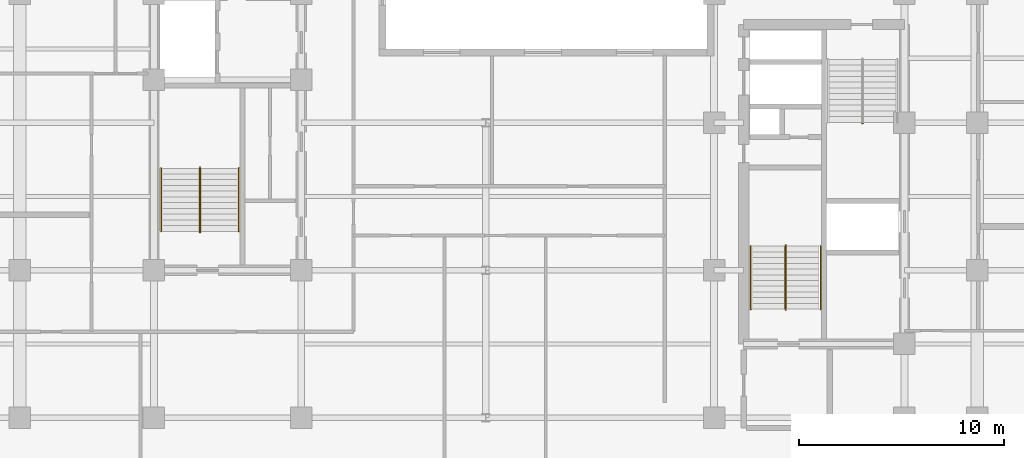
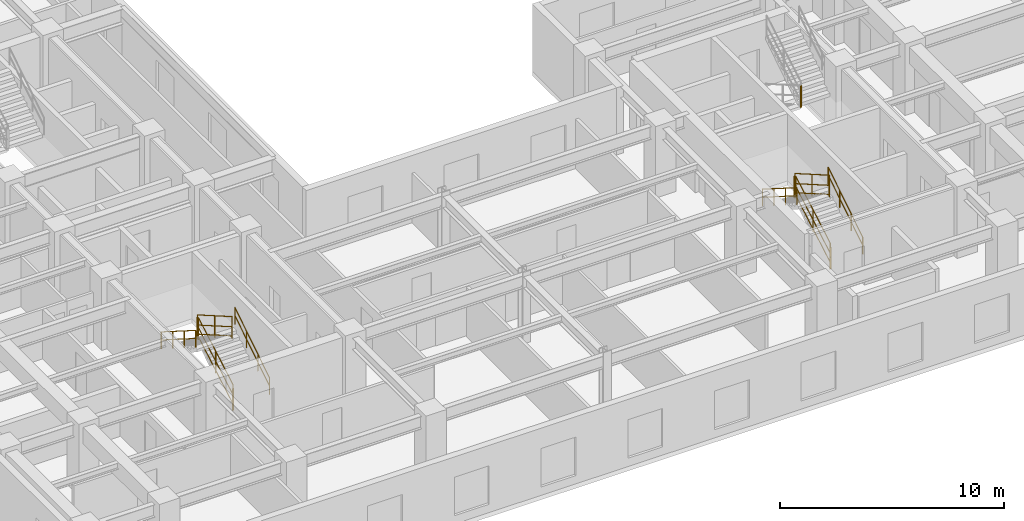
# One storey, part 8 of 10: 13 railings.
"""IFC4 building model written with IfcOpenShell, lengths in metres."""

from ifc_helpers import new_model, entity, si_unit, converted_unit, direction, frame, origin_with_axes, origin_2d_with_axis, place, context, subcontext, project, spatial, rectangle, circle, extrude, material, type_object, element, save


model = new_model("IFC4")

# Units and contexts
model_context = context("Model", 3, precision=1e-05, world=origin_with_axes(), true_north=direction((0.0, 1.0)))
body_context = subcontext(model_context, "Body", "Model", "MODEL_VIEW")
ifc_project = project(units=[si_unit("LENGTHUNIT", "METRE"), si_unit("AREAUNIT", "SQUARE_METRE"), si_unit("VOLUMEUNIT", "CUBIC_METRE"), converted_unit("PLANEANGLEUNIT", "DEGREE", entity("IfcPlaneAngleMeasure", 0.017453292519943295), si_unit("PLANEANGLEUNIT", "RADIAN"), dimensions=[0, 0, 0, 0, 0, 0, 0]), si_unit("MASSUNIT", "GRAM", prefix="KILO"), si_unit("THERMODYNAMICTEMPERATUREUNIT", "KELVIN")], contexts=[model_context])

# Site, building, storey
site_placement = place(None, origin_with_axes())
site = spatial("IfcSite", under=ifc_project, at=site_placement, CompositionType="ELEMENT")
building_placement = place(site_placement, origin_with_axes())
building = spatial("IfcBuilding", under=site, at=building_placement, Name="Varnlund Millrace Tower", CompositionType="ELEMENT")
storey_placement = place(building_placement, frame((0.0, 0.0, 152.4), z_axis=(0.0, 0.0, 1.0), x_axis=(1.0, 0.0, 0.0)))
storey = spatial("IfcBuildingStorey", under=building, at=storey_placement, Name="L37", CompositionType="ELEMENT", Elevation=152.4)

# Railings
ifc_material_1 = material(Name="Painted steel stair well balustrade guard", Category="steel")
railing_type_1 = type_object("IfcRailingType", Name="Type-StairGuard-1150", PredefinedType="GUARDRAIL", material=ifc_material_1)
railing_1_placement = place(storey_placement, frame((0.0, 0.0, -152.4), z_axis=(0.0, 0.0, 1.0), x_axis=(1.0, 0.0, 0.0)))
element("IfcRailing", 1, at=railing_1_placement, inside=storey, type_object=railing_type_1, Name="Type-StairGuard-1150", PredefinedType="GUARDRAIL", context=body_context, shape_type="SweptSolid", body=[
    extrude(circle(Radius=0.024, at=origin_2d_with_axis()), frame((13.675, 12.7, 153.727273), z_axis=(0.0, 0.866696, 0.498836), x_axis=(-1.0, 0.0, 0.0)), (0.0, 0.0, 1.0), 3.553725),
    extrude(circle(Radius=0.024, at=origin_2d_with_axis()), frame((13.675, 12.7, 152.677273), z_axis=(0.0, 0.866696, 0.498836), x_axis=(-1.0, 0.0, 0.0)), (0.0, 0.0, 1.0), 3.553725),
    extrude(circle(Radius=0.024, at=origin_2d_with_axis()), frame((13.675, 12.7, 153.175273), z_axis=(0.0, 0.866696, 0.498836), x_axis=(-1.0, 0.0, 0.0)), (0.0, 0.0, 1.0), 3.553725),
    extrude(rectangle(XDim=0.04, YDim=0.04, at=origin_2d_with_axis()), frame((13.675, 12.7, 152.537273), z_axis=(0.0, 0.0, 1.0), x_axis=(1.0, 0.0, 0.0)), (0.0, 0.0, 1.0), 1.19),
    extrude(rectangle(XDim=0.04, YDim=0.04, at=origin_2d_with_axis()), frame((13.675, 14.24, 153.423637), z_axis=(0.0, 0.0, 1.0), x_axis=(1.0, 0.0, 0.0)), (0.0, 0.0, 1.0), 1.19),
    extrude(rectangle(XDim=0.04, YDim=0.04, at=origin_2d_with_axis()), frame((13.675, 15.78, 154.31), z_axis=(0.0, 0.0, 1.0), x_axis=(1.0, 0.0, 0.0)), (0.0, 0.0, 1.0), 1.19),
])
railing_2_placement = place(storey_placement, frame((0.0, 0.0, -152.4), z_axis=(0.0, 0.0, 1.0), x_axis=(1.0, 0.0, 0.0)))
element("IfcRailing", 2, at=railing_2_placement, inside=storey, type_object=railing_type_1, Name="Type-StairGuard-1150", PredefinedType="GUARDRAIL", context=body_context, shape_type="SweptSolid", body=[
    extrude(circle(Radius=0.024, at=origin_2d_with_axis()), frame((13.625, 15.83, 155.5), z_axis=(1.0, 0.0, 0.0), x_axis=(0.0, 1.0, 0.0)), (0.0, 0.0, 1.0), 0.05),
    extrude(circle(Radius=0.024, at=origin_2d_with_axis()), frame((13.625, 15.83, 154.45), z_axis=(1.0, 0.0, 0.0), x_axis=(0.0, 1.0, 0.0)), (0.0, 0.0, 1.0), 0.05),
    extrude(circle(Radius=0.024, at=origin_2d_with_axis()), frame((13.625, 15.83, 154.948), z_axis=(1.0, 0.0, 0.0), x_axis=(0.0, 1.0, 0.0)), (0.0, 0.0, 1.0), 0.05),
    extrude(rectangle(XDim=0.04, YDim=0.04, at=origin_2d_with_axis()), frame((13.625, 15.83, 154.31), z_axis=(0.0, 0.0, 1.0), x_axis=(1.0, 0.0, 0.0)), (0.0, 0.0, 1.0), 1.19),
    extrude(rectangle(XDim=0.04, YDim=0.04, at=origin_2d_with_axis()), frame((13.675, 15.83, 154.31), z_axis=(0.0, 0.0, 1.0), x_axis=(1.0, 0.0, 0.0)), (0.0, 0.0, 1.0), 1.19),
])
railing_3_placement = place(storey_placement, frame((0.0, 0.0, -152.4), z_axis=(0.0, 0.0, 1.0), x_axis=(1.0, 0.0, 0.0)))
element("IfcRailing", 3, at=railing_3_placement, inside=storey, type_object=railing_type_1, Name="Type-StairGuard-1150", PredefinedType="GUARDRAIL", context=body_context, shape_type="SweptSolid", body=[
    extrude(circle(Radius=0.024, at=origin_2d_with_axis()), frame((13.625, 15.78, 155.677273), z_axis=(0.0, -0.866696, 0.498836), x_axis=(1.0, 0.0, 0.0)), (0.0, 0.0, 1.0), 3.553725),
    extrude(circle(Radius=0.024, at=origin_2d_with_axis()), frame((13.625, 15.78, 154.627273), z_axis=(0.0, -0.866696, 0.498836), x_axis=(1.0, 0.0, 0.0)), (0.0, 0.0, 1.0), 3.553725),
    extrude(circle(Radius=0.024, at=origin_2d_with_axis()), frame((13.625, 15.78, 155.125273), z_axis=(0.0, -0.866696, 0.498836), x_axis=(1.0, 0.0, 0.0)), (0.0, 0.0, 1.0), 3.553725),
    extrude(rectangle(XDim=0.04, YDim=0.04, at=origin_2d_with_axis()), frame((13.625, 15.78, 154.487273), z_axis=(0.0, 0.0, 1.0), x_axis=(1.0, 0.0, 0.0)), (0.0, 0.0, 1.0), 1.19),
    extrude(rectangle(XDim=0.04, YDim=0.04, at=origin_2d_with_axis()), frame((13.625, 14.24, 155.373636), z_axis=(0.0, 0.0, 1.0), x_axis=(1.0, 0.0, 0.0)), (0.0, 0.0, 1.0), 1.19),
    extrude(rectangle(XDim=0.04, YDim=0.04, at=origin_2d_with_axis()), frame((13.625, 12.7, 156.26), z_axis=(0.0, 0.0, 1.0), x_axis=(1.0, 0.0, 0.0)), (0.0, 0.0, 1.0), 1.19),
])
railing_4_placement = place(storey_placement, frame((0.0, 0.0, -152.4), z_axis=(0.0, 0.0, 1.0), x_axis=(1.0, 0.0, 0.0)))
element("IfcRailing", 4, at=railing_4_placement, inside=storey, type_object=railing_type_1, Name="Type-StairGuard-1150", PredefinedType="GUARDRAIL", context=body_context, shape_type="SweptSolid", body=[
    extrude(circle(Radius=0.024, at=origin_2d_with_axis()), frame((13.625, 12.65, 153.55), z_axis=(1.0, 0.0, 0.0), x_axis=(0.0, 1.0, 0.0)), (0.0, 0.0, 1.0), 0.05),
    extrude(circle(Radius=0.024, at=origin_2d_with_axis()), frame((13.625, 12.65, 152.5), z_axis=(1.0, 0.0, 0.0), x_axis=(0.0, 1.0, 0.0)), (0.0, 0.0, 1.0), 0.05),
    extrude(circle(Radius=0.024, at=origin_2d_with_axis()), frame((13.625, 12.65, 152.998), z_axis=(1.0, 0.0, 0.0), x_axis=(0.0, 1.0, 0.0)), (0.0, 0.0, 1.0), 0.05),
    extrude(rectangle(XDim=0.04, YDim=0.04, at=origin_2d_with_axis()), frame((13.625, 12.65, 152.36), z_axis=(0.0, 0.0, 1.0), x_axis=(1.0, 0.0, 0.0)), (0.0, 0.0, 1.0), 1.19),
    extrude(rectangle(XDim=0.04, YDim=0.04, at=origin_2d_with_axis()), frame((13.675, 12.65, 152.36), z_axis=(0.0, 0.0, 1.0), x_axis=(1.0, 0.0, 0.0)), (0.0, 0.0, 1.0), 1.19),
])
railing_5_placement = place(storey_placement, frame((0.0, 0.0, -152.4), z_axis=(0.0, 0.0, 1.0), x_axis=(1.0, 0.0, 0.0)))
element("IfcRailing", 5, at=railing_5_placement, inside=storey, type_object=railing_type_1, Name="Type-StairGuard-1150", PredefinedType="GUARDRAIL", context=body_context, shape_type="SweptSolid", body=[
    extrude(circle(Radius=0.024, at=origin_2d_with_axis()), frame((42.275, 8.9, 153.727273), z_axis=(0.0, 0.866696, 0.498836), x_axis=(-1.0, 0.0, 0.0)), (0.0, 0.0, 1.0), 3.553725),
    extrude(circle(Radius=0.024, at=origin_2d_with_axis()), frame((42.275, 8.9, 152.677273), z_axis=(0.0, 0.866696, 0.498836), x_axis=(-1.0, 0.0, 0.0)), (0.0, 0.0, 1.0), 3.553725),
    extrude(circle(Radius=0.024, at=origin_2d_with_axis()), frame((42.275, 8.9, 153.175273), z_axis=(0.0, 0.866696, 0.498836), x_axis=(-1.0, 0.0, 0.0)), (0.0, 0.0, 1.0), 3.553725),
    extrude(rectangle(XDim=0.04, YDim=0.04, at=origin_2d_with_axis()), frame((42.275, 8.9, 152.537273), z_axis=(0.0, 0.0, 1.0), x_axis=(1.0, 0.0, 0.0)), (0.0, 0.0, 1.0), 1.19),
    extrude(rectangle(XDim=0.04, YDim=0.04, at=origin_2d_with_axis()), frame((42.275, 10.44, 153.423637), z_axis=(0.0, 0.0, 1.0), x_axis=(1.0, 0.0, 0.0)), (0.0, 0.0, 1.0), 1.19),
    extrude(rectangle(XDim=0.04, YDim=0.04, at=origin_2d_with_axis()), frame((42.275, 11.98, 154.31), z_axis=(0.0, 0.0, 1.0), x_axis=(1.0, 0.0, 0.0)), (0.0, 0.0, 1.0), 1.19),
])
railing_6_placement = place(storey_placement, frame((0.0, 0.0, -152.4), z_axis=(0.0, 0.0, 1.0), x_axis=(1.0, 0.0, 0.0)))
element("IfcRailing", 6, at=railing_6_placement, inside=storey, type_object=railing_type_1, Name="Type-StairGuard-1150", PredefinedType="GUARDRAIL", context=body_context, shape_type="SweptSolid", body=[
    extrude(circle(Radius=0.024, at=origin_2d_with_axis()), frame((42.225, 12.03, 155.5), z_axis=(1.0, 0.0, 0.0), x_axis=(0.0, 1.0, 0.0)), (0.0, 0.0, 1.0), 0.05),
    extrude(circle(Radius=0.024, at=origin_2d_with_axis()), frame((42.225, 12.03, 154.45), z_axis=(1.0, 0.0, 0.0), x_axis=(0.0, 1.0, 0.0)), (0.0, 0.0, 1.0), 0.05),
    extrude(circle(Radius=0.024, at=origin_2d_with_axis()), frame((42.225, 12.03, 154.948), z_axis=(1.0, 0.0, 0.0), x_axis=(0.0, 1.0, 0.0)), (0.0, 0.0, 1.0), 0.05),
    extrude(rectangle(XDim=0.04, YDim=0.04, at=origin_2d_with_axis()), frame((42.225, 12.03, 154.31), z_axis=(0.0, 0.0, 1.0), x_axis=(1.0, 0.0, 0.0)), (0.0, 0.0, 1.0), 1.19),
    extrude(rectangle(XDim=0.04, YDim=0.04, at=origin_2d_with_axis()), frame((42.275, 12.03, 154.31), z_axis=(0.0, 0.0, 1.0), x_axis=(1.0, 0.0, 0.0)), (0.0, 0.0, 1.0), 1.19),
])
railing_7_placement = place(storey_placement, frame((0.0, 0.0, -152.4), z_axis=(0.0, 0.0, 1.0), x_axis=(1.0, 0.0, 0.0)))
element("IfcRailing", 7, at=railing_7_placement, inside=storey, type_object=railing_type_1, Name="Type-StairGuard-1150", PredefinedType="GUARDRAIL", context=body_context, shape_type="SweptSolid", body=[
    extrude(circle(Radius=0.024, at=origin_2d_with_axis()), frame((42.225, 11.98, 155.677273), z_axis=(0.0, -0.866696, 0.498836), x_axis=(1.0, 0.0, 0.0)), (0.0, 0.0, 1.0), 3.553725),
    extrude(circle(Radius=0.024, at=origin_2d_with_axis()), frame((42.225, 11.98, 154.627273), z_axis=(0.0, -0.866696, 0.498836), x_axis=(1.0, 0.0, 0.0)), (0.0, 0.0, 1.0), 3.553725),
    extrude(circle(Radius=0.024, at=origin_2d_with_axis()), frame((42.225, 11.98, 155.125273), z_axis=(0.0, -0.866696, 0.498836), x_axis=(1.0, 0.0, 0.0)), (0.0, 0.0, 1.0), 3.553725),
    extrude(rectangle(XDim=0.04, YDim=0.04, at=origin_2d_with_axis()), frame((42.225, 11.98, 154.487273), z_axis=(0.0, 0.0, 1.0), x_axis=(1.0, 0.0, 0.0)), (0.0, 0.0, 1.0), 1.19),
    extrude(rectangle(XDim=0.04, YDim=0.04, at=origin_2d_with_axis()), frame((42.225, 10.44, 155.373636), z_axis=(0.0, 0.0, 1.0), x_axis=(1.0, 0.0, 0.0)), (0.0, 0.0, 1.0), 1.19),
    extrude(rectangle(XDim=0.04, YDim=0.04, at=origin_2d_with_axis()), frame((42.225, 8.9, 156.26), z_axis=(0.0, 0.0, 1.0), x_axis=(1.0, 0.0, 0.0)), (0.0, 0.0, 1.0), 1.19),
])
railing_8_placement = place(storey_placement, frame((0.0, 0.0, -152.4), z_axis=(0.0, 0.0, 1.0), x_axis=(1.0, 0.0, 0.0)))
element("IfcRailing", 8, at=railing_8_placement, inside=storey, type_object=railing_type_1, Name="Type-StairGuard-1150", PredefinedType="GUARDRAIL", context=body_context, shape_type="SweptSolid", body=[
    extrude(circle(Radius=0.024, at=origin_2d_with_axis()), frame((42.225, 8.85, 153.55), z_axis=(1.0, 0.0, 0.0), x_axis=(0.0, 1.0, 0.0)), (0.0, 0.0, 1.0), 0.05),
    extrude(circle(Radius=0.024, at=origin_2d_with_axis()), frame((42.225, 8.85, 152.5), z_axis=(1.0, 0.0, 0.0), x_axis=(0.0, 1.0, 0.0)), (0.0, 0.0, 1.0), 0.05),
    extrude(circle(Radius=0.024, at=origin_2d_with_axis()), frame((42.225, 8.85, 152.998), z_axis=(1.0, 0.0, 0.0), x_axis=(0.0, 1.0, 0.0)), (0.0, 0.0, 1.0), 0.05),
    extrude(rectangle(XDim=0.04, YDim=0.04, at=origin_2d_with_axis()), frame((42.225, 8.85, 152.36), z_axis=(0.0, 0.0, 1.0), x_axis=(1.0, 0.0, 0.0)), (0.0, 0.0, 1.0), 1.19),
    extrude(rectangle(XDim=0.04, YDim=0.04, at=origin_2d_with_axis()), frame((42.275, 8.85, 152.36), z_axis=(0.0, 0.0, 1.0), x_axis=(1.0, 0.0, 0.0)), (0.0, 0.0, 1.0), 1.19),
])
railing_9_placement = place(storey_placement, frame((0.0, 0.0, -152.4), z_axis=(0.0, 0.0, 1.0), x_axis=(1.0, 0.0, 0.0)))
element("IfcRailing", 9, at=railing_9_placement, inside=storey, type_object=railing_type_1, Name="Type-StairGuard-1150", PredefinedType="GUARDRAIL", context=body_context, shape_type="SweptSolid", body=[
    extrude(circle(Radius=0.024, at=origin_2d_with_axis()), frame((46.025, 17.97, 155.5), z_axis=(-1.0, 0.0, 0.0), x_axis=(0.0, -1.0, 0.0)), (0.0, 0.0, 1.0), 0.05),
    extrude(circle(Radius=0.024, at=origin_2d_with_axis()), frame((46.025, 17.97, 154.45), z_axis=(-1.0, 0.0, 0.0), x_axis=(0.0, -1.0, 0.0)), (0.0, 0.0, 1.0), 0.05),
    extrude(circle(Radius=0.024, at=origin_2d_with_axis()), frame((46.025, 17.97, 154.948), z_axis=(-1.0, 0.0, 0.0), x_axis=(0.0, -1.0, 0.0)), (0.0, 0.0, 1.0), 0.05),
    extrude(rectangle(XDim=0.04, YDim=0.04, at=origin_2d_with_axis()), frame((46.025, 17.97, 154.31), z_axis=(0.0, 0.0, 1.0), x_axis=(1.0, 0.0, 0.0)), (0.0, 0.0, 1.0), 1.19),
    extrude(rectangle(XDim=0.04, YDim=0.04, at=origin_2d_with_axis()), frame((45.975, 17.97, 154.31), z_axis=(0.0, 0.0, 1.0), x_axis=(1.0, 0.0, 0.0)), (0.0, 0.0, 1.0), 1.19),
])
ifc_material_2 = material(Name="Brushed architectural bronze stair handrail", Category="aluminium")
railing_type_2 = type_object("IfcRailingType", Name="Type-StairHandrail-900", PredefinedType="HANDRAIL", material=ifc_material_2)
railing_10_placement = place(storey_placement, frame((0.0, 0.0, -152.4), z_axis=(0.0, 0.0, 1.0), x_axis=(1.0, 0.0, 0.0)))
element("IfcRailing", 10, at=railing_10_placement, inside=storey, type_object=railing_type_2, Name="Type-StairHandrail-900", PredefinedType="HANDRAIL", context=body_context, shape_type="SweptSolid", body=[
    extrude(circle(Radius=0.024, at=origin_2d_with_axis()), frame((15.55, 12.7, 153.456995), z_axis=(0.0, 0.844902, 0.534922), x_axis=(-1.0, 0.0, 0.0)), (0.0, 0.0, 1.0), 3.645394),
    extrude(circle(Radius=0.024, at=origin_2d_with_axis()), frame((15.55, 12.7, 153.017134), z_axis=(0.0, 0.844902, 0.534922), x_axis=(-1.0, 0.0, 0.0)), (0.0, 0.0, 1.0), 3.645394),
    extrude(rectangle(XDim=0.04, YDim=0.04, at=origin_2d_with_axis()), frame((15.55, 12.7, 152.537273), z_axis=(0.0, 0.0, 1.0), x_axis=(1.0, 0.0, 0.0)), (0.0, 0.0, 1.0), 0.919722),
    extrude(rectangle(XDim=0.04, YDim=0.04, at=origin_2d_with_axis()), frame((15.55, 13.726667, 153.187273), z_axis=(0.0, 0.0, 1.0), x_axis=(1.0, 0.0, 0.0)), (0.0, 0.0, 1.0), 0.919722),
    extrude(rectangle(XDim=0.04, YDim=0.04, at=origin_2d_with_axis()), frame((15.55, 14.753333, 153.837273), z_axis=(0.0, 0.0, 1.0), x_axis=(1.0, 0.0, 0.0)), (0.0, 0.0, 1.0), 0.919722),
    extrude(rectangle(XDim=0.04, YDim=0.04, at=origin_2d_with_axis()), frame((15.55, 15.78, 154.487273), z_axis=(0.0, 0.0, 1.0), x_axis=(1.0, 0.0, 0.0)), (0.0, 0.0, 1.0), 0.919722),
])
railing_11_placement = place(storey_placement, frame((0.0, 0.0, -152.4), z_axis=(0.0, 0.0, 1.0), x_axis=(1.0, 0.0, 0.0)))
element("IfcRailing", 11, at=railing_11_placement, inside=storey, type_object=railing_type_2, Name="Type-StairHandrail-900", PredefinedType="HANDRAIL", context=body_context, shape_type="SweptSolid", body=[
    extrude(circle(Radius=0.024, at=origin_2d_with_axis()), frame((11.75, 15.78, 155.406995), z_axis=(0.0, -0.844902, 0.534922), x_axis=(1.0, 0.0, 0.0)), (0.0, 0.0, 1.0), 3.645394),
    extrude(circle(Radius=0.024, at=origin_2d_with_axis()), frame((11.75, 15.78, 154.967134), z_axis=(0.0, -0.844902, 0.534922), x_axis=(1.0, 0.0, 0.0)), (0.0, 0.0, 1.0), 3.645394),
    extrude(rectangle(XDim=0.04, YDim=0.04, at=origin_2d_with_axis()), frame((11.75, 15.78, 154.487273), z_axis=(0.0, 0.0, 1.0), x_axis=(1.0, 0.0, 0.0)), (0.0, 0.0, 1.0), 0.919722),
    extrude(rectangle(XDim=0.04, YDim=0.04, at=origin_2d_with_axis()), frame((11.75, 14.753333, 155.137273), z_axis=(0.0, 0.0, 1.0), x_axis=(1.0, 0.0, 0.0)), (0.0, 0.0, 1.0), 0.919722),
    extrude(rectangle(XDim=0.04, YDim=0.04, at=origin_2d_with_axis()), frame((11.75, 13.726667, 155.787273), z_axis=(0.0, 0.0, 1.0), x_axis=(1.0, 0.0, 0.0)), (0.0, 0.0, 1.0), 0.919722),
    extrude(rectangle(XDim=0.04, YDim=0.04, at=origin_2d_with_axis()), frame((11.75, 12.7, 156.437273), z_axis=(0.0, 0.0, 1.0), x_axis=(1.0, 0.0, 0.0)), (0.0, 0.0, 1.0), 0.919722),
])
railing_12_placement = place(storey_placement, frame((0.0, 0.0, -152.4), z_axis=(0.0, 0.0, 1.0), x_axis=(1.0, 0.0, 0.0)))
element("IfcRailing", 12, at=railing_12_placement, inside=storey, type_object=railing_type_2, Name="Type-StairHandrail-900", PredefinedType="HANDRAIL", context=body_context, shape_type="SweptSolid", body=[
    extrude(circle(Radius=0.024, at=origin_2d_with_axis()), frame((43.95, 8.9, 153.456995), z_axis=(0.0, 0.844902, 0.534922), x_axis=(-1.0, 0.0, 0.0)), (0.0, 0.0, 1.0), 3.645394),
    extrude(circle(Radius=0.024, at=origin_2d_with_axis()), frame((43.95, 8.9, 153.017134), z_axis=(0.0, 0.844902, 0.534922), x_axis=(-1.0, 0.0, 0.0)), (0.0, 0.0, 1.0), 3.645394),
    extrude(rectangle(XDim=0.04, YDim=0.04, at=origin_2d_with_axis()), frame((43.95, 8.9, 152.537273), z_axis=(0.0, 0.0, 1.0), x_axis=(1.0, 0.0, 0.0)), (0.0, 0.0, 1.0), 0.919722),
    extrude(rectangle(XDim=0.04, YDim=0.04, at=origin_2d_with_axis()), frame((43.95, 9.926667, 153.187273), z_axis=(0.0, 0.0, 1.0), x_axis=(1.0, 0.0, 0.0)), (0.0, 0.0, 1.0), 0.919722),
    extrude(rectangle(XDim=0.04, YDim=0.04, at=origin_2d_with_axis()), frame((43.95, 10.953333, 153.837273), z_axis=(0.0, 0.0, 1.0), x_axis=(1.0, 0.0, 0.0)), (0.0, 0.0, 1.0), 0.919722),
    extrude(rectangle(XDim=0.04, YDim=0.04, at=origin_2d_with_axis()), frame((43.95, 11.98, 154.487273), z_axis=(0.0, 0.0, 1.0), x_axis=(1.0, 0.0, 0.0)), (0.0, 0.0, 1.0), 0.919722),
])
railing_13_placement = place(storey_placement, frame((0.0, 0.0, -152.4), z_axis=(0.0, 0.0, 1.0), x_axis=(1.0, 0.0, 0.0)))
element("IfcRailing", 13, at=railing_13_placement, inside=storey, type_object=railing_type_2, Name="Type-StairHandrail-900", PredefinedType="HANDRAIL", context=body_context, shape_type="SweptSolid", body=[
    extrude(circle(Radius=0.024, at=origin_2d_with_axis()), frame((40.55, 11.98, 155.406995), z_axis=(0.0, -0.844902, 0.534922), x_axis=(1.0, 0.0, 0.0)), (0.0, 0.0, 1.0), 3.645394),
    extrude(circle(Radius=0.024, at=origin_2d_with_axis()), frame((40.55, 11.98, 154.967134), z_axis=(0.0, -0.844902, 0.534922), x_axis=(1.0, 0.0, 0.0)), (0.0, 0.0, 1.0), 3.645394),
    extrude(rectangle(XDim=0.04, YDim=0.04, at=origin_2d_with_axis()), frame((40.55, 11.98, 154.487273), z_axis=(0.0, 0.0, 1.0), x_axis=(1.0, 0.0, 0.0)), (0.0, 0.0, 1.0), 0.919722),
    extrude(rectangle(XDim=0.04, YDim=0.04, at=origin_2d_with_axis()), frame((40.55, 10.953333, 155.137273), z_axis=(0.0, 0.0, 1.0), x_axis=(1.0, 0.0, 0.0)), (0.0, 0.0, 1.0), 0.919722),
    extrude(rectangle(XDim=0.04, YDim=0.04, at=origin_2d_with_axis()), frame((40.55, 9.926667, 155.787273), z_axis=(0.0, 0.0, 1.0), x_axis=(1.0, 0.0, 0.0)), (0.0, 0.0, 1.0), 0.919722),
    extrude(rectangle(XDim=0.04, YDim=0.04, at=origin_2d_with_axis()), frame((40.55, 8.9, 156.437273), z_axis=(0.0, 0.0, 1.0), x_axis=(1.0, 0.0, 0.0)), (0.0, 0.0, 1.0), 0.919722),
])

save(model, "model.ifc")
